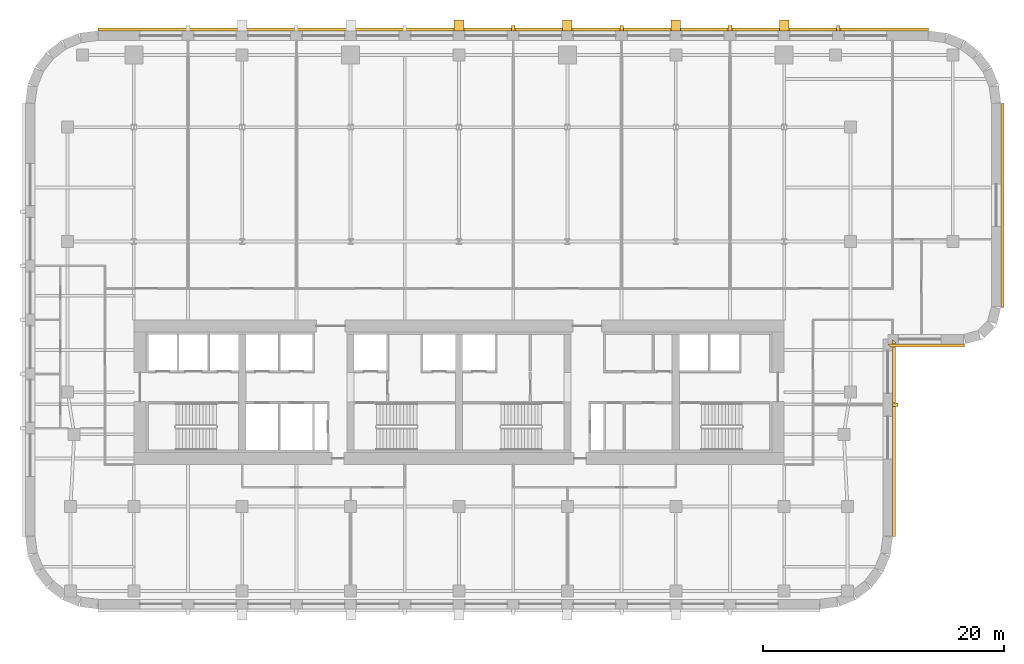
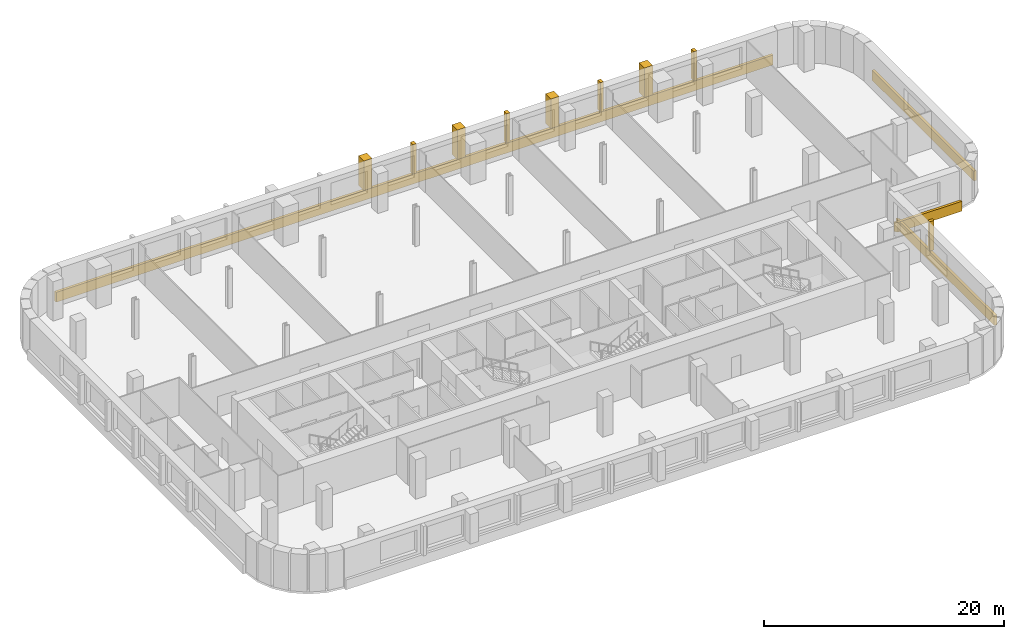
# One storey, part 9 of 9: 13 coverings.
"""IFC4 building model written with IfcOpenShell, lengths in metres."""

import ifcopenshell
import ifcopenshell.guid

model = None  # the IFC model being written
_history = None  # IfcOwnerHistory: only IFC2X3 demands one
_inside = {}  # id of a spatial element -> (the spatial element, [elements in it])
_under = {}  # id of a project, library or spatial element -> (it, [spatial elements below it])
_declared = {}  # id of a project -> (the project, [libraries it declares])
_typed = {}  # id of a type object -> (the type object, [elements of that type])
_made_of = {}  # id of a material, layer set ... -> (it, [elements and type objects made of it])


def new_model(schema):
    """Start an empty IFC model of exactly this schema.

    Asked for "IFC4X3", IfcOpenShell would pick the latest addendum, in which some entities
    have other attributes; the version numbers below select the first issue.
    IFC2X3 requires an IfcOwnerHistory on every rooted entity: one is made here for all.
    """
    global model, _history
    if schema == "IFC4X3":
        model = ifcopenshell.file(schema_version=(4, 3, 0, 0))
    else:
        model = ifcopenshell.file(schema=schema)
    _inside.clear()
    _under.clear()
    _declared.clear()
    _typed.clear()
    _made_of.clear()
    _history = None
    if model.schema == "IFC2X3":
        org = make("IfcOrganization", Name="unknown")
        user = make(
            "IfcPersonAndOrganization",
            ThePerson=make("IfcPerson", FamilyName="unknown"),
            TheOrganization=org,
        )
        app = make(
            "IfcApplication",
            ApplicationDeveloper=org,
            Version="unknown",
            ApplicationFullName="unknown",
            ApplicationIdentifier="unknown",
        )
        _history = make(
            "IfcOwnerHistory",
            OwningUser=user,
            OwningApplication=app,
            ChangeAction="ADDED",
            CreationDate=0,
        )
    return model


def make(cls, **values):
    """One entity of the class cls with the attributes given. An attribute that is None is left unset."""
    return model.create_entity(
        cls, **{name: value for name, value in values.items() if value is not None}
    )


def rooted(cls, **values):
    """An entity with a GlobalId (a new one), such as an element, a storey or a relation."""
    return make(cls, GlobalId=ifcopenshell.guid.new(), OwnerHistory=_history, **values)


def si_unit(unit_type, name, prefix=None):
    """IfcSIUnit, for example si_unit("LENGTHUNIT", "METRE", prefix="MILLI")."""
    return make("IfcSIUnit", UnitType=unit_type, Prefix=prefix, Name=name)


def assignment(units):
    """IfcUnitAssignment: the units of a project."""
    return None if units is None else make("IfcUnitAssignment", Units=units)


def point(xyz):
    """IfcCartesianPoint."""
    return None if xyz is None else make("IfcCartesianPoint", Coordinates=xyz)


def direction(xyz):
    """IfcDirection."""
    return None if xyz is None else make("IfcDirection", DirectionRatios=xyz)


def frame(location, z_axis=None, x_axis=None):
    """IfcAxis2Placement3D, a coordinate frame: its origin and axes. An axis left out is left unset."""
    return make(
        "IfcAxis2Placement3D",
        Location=point(location),
        Axis=direction(z_axis),
        RefDirection=direction(x_axis),
    )


def origin():
    """The frame at (0, 0, 0) with its axes left unset."""
    return frame((0.0, 0.0, 0.0))


def place(relative_to, where):
    """IfcLocalPlacement: puts the frame where relative to a parent placement (None: the world)."""
    return make(
        "IfcLocalPlacement", PlacementRelTo=relative_to, RelativePlacement=where
    )


def context(
    kind, dimensions, precision=None, world=None, true_north=None, identifier=None
):
    """IfcGeometricRepresentationContext, for example the 3D "Model" context."""
    return make(
        "IfcGeometricRepresentationContext",
        ContextIdentifier=identifier,
        ContextType=kind,
        CoordinateSpaceDimension=dimensions,
        Precision=precision,
        WorldCoordinateSystem=world,
        TrueNorth=true_north,
    )


def subcontext(parent, identifier, kind, view, scale=None):
    """IfcGeometricRepresentationSubContext, for example "Body" below "Model"."""
    return make(
        "IfcGeometricRepresentationSubContext",
        ContextIdentifier=identifier,
        ContextType=kind,
        ParentContext=parent,
        TargetScale=scale,
        TargetView=view,
    )


def project(units=None, contexts=None):
    """IfcProject with its units and contexts."""
    return rooted(
        "IfcProject",
        Name="project",
        RepresentationContexts=contexts,
        UnitsInContext=assignment(units),
    )


def spatial(cls, under=None, at=None, **own):
    """A site, building, storey or space (cls), placed at a placement, below another one or the project."""
    s = rooted(cls, ObjectPlacement=at, **own)
    if under is not None:
        _under.setdefault(under.id(), (under, []))[1].append(s)
    return s


def polyline(points):
    """IfcPolyline through the points."""
    return make("IfcPolyline", Points=[point(p) for p in points])


def outline(outer, holes=None, kind="AREA"):
    """IfcArbitraryClosedProfileDef: a profile drawn as a closed curve; with holes, ...WithVoids."""
    if holes is None:
        return make("IfcArbitraryClosedProfileDef", ProfileType=kind, OuterCurve=outer)
    return make(
        "IfcArbitraryProfileDefWithVoids",
        ProfileType=kind,
        OuterCurve=outer,
        InnerCurves=holes,
    )


def extrude(swept, where, along, depth):
    """IfcExtrudedAreaSolid: the profile swept, set in the frame where, extruded along a direction by depth."""
    return make(
        "IfcExtrudedAreaSolid",
        SweptArea=swept,
        Position=where,
        ExtrudedDirection=direction(along),
        Depth=depth,
    )


def shape(context_of_items, identifier, shape_type, items):
    """IfcShapeRepresentation: the items that make up one representation, for example the "Body"."""
    return make(
        "IfcShapeRepresentation",
        ContextOfItems=context_of_items,
        RepresentationIdentifier=identifier,
        RepresentationType=shape_type,
        Items=items,
    )


def material(Name=None, Category=None):
    """IfcMaterial."""
    return make("IfcMaterial", Name=Name, Category=Category)


def layer(
    of_material, thickness, ventilated=None, Name=None, Category=None, Priority=None
):
    """IfcMaterialLayer: one layer of a wall or slab, of a material (None: an air gap)."""
    return make(
        "IfcMaterialLayer",
        Material=of_material,
        LayerThickness=thickness,
        IsVentilated=ventilated,
        Name=Name,
        Category=Category,
        Priority=Priority,
    )


def layer_set(layers, Name=None):
    """IfcMaterialLayerSet."""
    return make("IfcMaterialLayerSet", MaterialLayers=layers, LayerSetName=Name)


def made_of(thing, what):
    """Note that an element or type object is made of a material, layer set ...; save() writes the relation."""
    if what is not None:
        _made_of.setdefault(what.id(), (what, []))[1].append(thing)
    return thing


def type_object(cls, material=None, **own):
    """A type object (cls), such as IfcWallType, which elements share."""
    return made_of(rooted(cls, **own), material)


def element(
    cls,
    number,
    at=None,
    inside=None,
    cuts=None,
    type_object=None,
    material=None,
    context=None,
    identifier="Body",
    shape_type=None,
    held_by="IfcProductDefinitionShape",
    body=None,
    shapes=None,
    **own,
):
    """One element of the class cls, such as IfcWall. Its Tag is "e" and its number.

    at: its placement. inside: the storey or other place that contains it. cuts: it is an
    opening in that element (IfcRelVoidsElement). A single representation is given by context,
    identifier, shape_type and body (its items); several are given by shapes. held_by: the class
    of the entity that holds the representations. save() writes the other relations.
    """
    e = rooted(cls, Tag="e%d" % number, ObjectPlacement=at, **own)
    if body is not None:
        shapes = [shape(context, identifier, shape_type, body)]
    if shapes is not None:
        e.Representation = make(held_by, Representations=shapes)
    if inside is not None:
        _inside.setdefault(inside.id(), (inside, []))[1].append(e)
    if cuts is not None:
        rooted(
            "IfcRelVoidsElement", RelatingBuildingElement=cuts, RelatedOpeningElement=e
        )
    if type_object is not None:
        _typed.setdefault(type_object.id(), (type_object, []))[1].append(e)
    return made_of(e, material)


def aggregate(whole, parts):
    """IfcRelAggregates: a whole, such as a stair, and the parts it consists of."""
    return rooted("IfcRelAggregates", RelatingObject=whole, RelatedObjects=parts)


def save(model, path):
    """Write the relations noted so far, then the file.

    IfcRelAggregates (storeys below a building ...), IfcRelContainedInSpatialStructure (elements
    in a storey), IfcRelDefinesByType, IfcRelAssociatesMaterial and IfcRelDeclares: one each for
    every whole, place, type object, material and project.
    """
    for whole, parts in _under.values():
        aggregate(whole, parts)
    for where, things in _inside.values():
        rooted(
            "IfcRelContainedInSpatialStructure",
            RelatedElements=things,
            RelatingStructure=where,
        )
    for kind, things in _typed.values():
        rooted("IfcRelDefinesByType", RelatedObjects=things, RelatingType=kind)
    for what, things in _made_of.values():
        rooted("IfcRelAssociatesMaterial", RelatedObjects=things, RelatingMaterial=what)
    for by, libraries in _declared.values():
        rooted("IfcRelDeclares", RelatingContext=by, RelatedDefinitions=libraries)
    model.write(path)


model = new_model("IFC4")

# Units and contexts
model_context = context("Model", 3, precision=1e-05, world=origin(), true_north=direction((0.0, 1.0)))
body_context = subcontext(model_context, "Body", "Model", "MODEL_VIEW")
ifc_project = project(units=[si_unit("LENGTHUNIT", "METRE"), si_unit("AREAUNIT", "SQUARE_METRE"), si_unit("VOLUMEUNIT", "CUBIC_METRE"), si_unit("PLANEANGLEUNIT", "RADIAN"), si_unit("MASSUNIT", "GRAM", prefix="KILO")], contexts=[model_context])

# Site, building, storey
site_placement = place(None, origin())
site = spatial("IfcSite", under=ifc_project, at=site_placement, CompositionType="ELEMENT")
building_placement = place(site_placement, origin())
building = spatial("IfcBuilding", under=site, at=building_placement, Name="Zellij Exchange Tower", CompositionType="ELEMENT")
storey_placement = place(building_placement, frame((0.0, 0.0, 140.5)))
storey = spatial("IfcBuildingStorey", under=building, at=storey_placement, Name="L31", CompositionType="ELEMENT", Elevation=140.5)

# Coverings
ifc_material = material(Name="Limestone cladding", Category="masonry")
covering_type_1 = type_object("IfcCoveringType", Name="ENV-CV5 Stone pier 800x900", PredefinedType="CLADDING", material=ifc_material)
covering_1_placement = place(storey_placement, frame((0.0, 0.0, 0.800048828125)))
element("IfcCovering", 1, at=covering_1_placement, inside=storey, type_object=covering_type_1, Name="Stone pier", PredefinedType="CLADDING", context=body_context, shape_type="SweptSolid", body=[
    extrude(outline(polyline([(27.39990234375, 22.0), (26.60009765625, 22.0), (26.60009765625, 22.89990234375), (27.39990234375, 22.89990234375), (27.39990234375, 22.0)])), origin(), (0.0, 0.0, 1.0), 3.0),
])
covering_2_placement = place(storey_placement, frame((0.0, 0.0, 0.800048828125)))
element("IfcCovering", 2, at=covering_2_placement, inside=storey, type_object=covering_type_1, Name="Stone pier", PredefinedType="CLADDING", context=body_context, shape_type="SweptSolid", body=[
    extrude(outline(polyline([(18.39990234375, 22.0), (17.60009765625, 22.0), (17.60009765625, 22.89990234375), (18.39990234375, 22.89990234375), (18.39990234375, 22.0)])), origin(), (0.0, 0.0, 1.0), 3.0),
])
covering_3_placement = place(storey_placement, frame((0.0, 0.0, 0.800048828125)))
element("IfcCovering", 3, at=covering_3_placement, inside=storey, type_object=covering_type_1, Name="Stone pier", PredefinedType="CLADDING", context=body_context, shape_type="SweptSolid", body=[
    extrude(outline(polyline([(9.39990234375, 22.0), (8.60009765625, 22.0), (8.60009765625, 22.89990234375), (9.39990234375, 22.89990234375), (9.39990234375, 22.0)])), origin(), (0.0, 0.0, 1.0), 3.0),
])
covering_4_placement = place(storey_placement, frame((0.0, 0.0, 0.800048828125)))
element("IfcCovering", 4, at=covering_4_placement, inside=storey, type_object=covering_type_1, Name="Stone pier", PredefinedType="CLADDING", context=body_context, shape_type="SweptSolid", body=[
    extrude(outline(polyline([(0.39990234375, 22.0), (-0.39990234375, 22.0), (-0.39990234375, 22.89990234375), (0.39990234375, 22.89990234375), (0.39990234375, 22.0)])), origin(), (0.0, 0.0, 1.0), 3.0),
])
covering_type_2 = type_object("IfcCoveringType", Name="ENV-CV7 Stone pier 300x450", PredefinedType="CLADDING", material=ifc_material)
covering_5_placement = place(storey_placement, frame((0.0, 0.0, 0.800048828125)))
element("IfcCovering", 5, at=covering_5_placement, inside=storey, type_object=covering_type_2, Name="Stone pier", PredefinedType="CLADDING", context=body_context, shape_type="SweptSolid", body=[
    extrude(outline(polyline([(36.0, -9.2080078125), (36.0, -8.907958984375), (36.449951171875, -8.907958984375), (36.449951171875, -9.2080078125), (36.0, -9.2080078125)])), origin(), (0.0, 0.0, 1.0), 3.0),
])
covering_6_placement = place(storey_placement, frame((0.0, 0.0, 0.800048828125)))
element("IfcCovering", 6, at=covering_6_placement, inside=storey, type_object=covering_type_2, Name="Stone pier", PredefinedType="CLADDING", context=body_context, shape_type="SweptSolid", body=[
    extrude(outline(polyline([(31.64990234375, 22.0), (31.35009765625, 22.0), (31.35009765625, 22.449951171875), (31.64990234375, 22.449951171875), (31.64990234375, 22.0)])), origin(), (0.0, 0.0, 1.0), 3.0),
])
covering_7_placement = place(storey_placement, frame((0.0, 0.0, 0.800048828125)))
element("IfcCovering", 7, at=covering_7_placement, inside=storey, type_object=covering_type_2, Name="Stone pier", PredefinedType="CLADDING", context=body_context, shape_type="SweptSolid", body=[
    extrude(outline(polyline([(22.64990234375, 22.0), (22.35009765625, 22.0), (22.35009765625, 22.449951171875), (22.64990234375, 22.449951171875), (22.64990234375, 22.0)])), origin(), (0.0, 0.0, 1.0), 3.0),
])
covering_8_placement = place(storey_placement, frame((0.0, 0.0, 0.800048828125)))
element("IfcCovering", 8, at=covering_8_placement, inside=storey, type_object=covering_type_2, Name="Stone pier", PredefinedType="CLADDING", context=body_context, shape_type="SweptSolid", body=[
    extrude(outline(polyline([(13.64990234375, 22.0), (13.35009765625, 22.0), (13.35009765625, 22.449951171875), (13.64990234375, 22.449951171875), (13.64990234375, 22.0)])), origin(), (0.0, 0.0, 1.0), 3.0),
])
covering_9_placement = place(storey_placement, frame((0.0, 0.0, 0.800048828125)))
element("IfcCovering", 9, at=covering_9_placement, inside=storey, type_object=covering_type_2, Name="Stone pier", PredefinedType="CLADDING", context=body_context, shape_type="SweptSolid", body=[
    extrude(outline(polyline([(4.64990234375, 22.0), (4.35009765625, 22.0), (4.35009765625, 22.449951171875), (4.64990234375, 22.449951171875), (4.64990234375, 22.0)])), origin(), (0.0, 0.0, 1.0), 3.0),
])
ifc_layer = layer(ifc_material, 0.25)
ifc_layer_set = layer_set([ifc_layer], Name="Limestone cladding")
covering_type_3 = type_object("IfcCoveringType", Name="ENV-CV8 Stone spandrel band 250", PredefinedType="CLADDING", material=ifc_layer_set)
covering_10_placement = place(storey_placement, frame((0.0, 0.0, -0.199951171875)))
element("IfcCovering", 10, at=covering_10_placement, inside=storey, type_object=covering_type_3, Name="Stone spandrel band", PredefinedType="CLADDING", context=body_context, shape_type="SweptSolid", body=[
    extrude(outline(polyline([(36.0, -19.973876953125), (36.0, -3.60009765625), (36.25, -3.85009765625), (36.25, -19.990234375), (36.0, -19.973876953125)])), origin(), (0.0, 0.0, 1.0), 1.0),
])
covering_11_placement = place(storey_placement, frame((0.0, 0.0, -0.199951171875)))
element("IfcCovering", 11, at=covering_11_placement, inside=storey, type_object=covering_type_3, Name="Stone spandrel band", PredefinedType="CLADDING", context=body_context, shape_type="SweptSolid", body=[
    extrude(outline(polyline([(35.60009765625, -4.0), (41.947265625, -4.0), (41.980224609375, -4.25), (35.85009765625, -4.25), (35.60009765625, -4.0)])), origin(), (0.0, 0.0, 1.0), 1.0),
])
covering_12_placement = place(storey_placement, frame((0.0, 0.0, -0.199951171875)))
element("IfcCovering", 12, at=covering_12_placement, inside=storey, type_object=covering_type_3, Name="Stone spandrel band", PredefinedType="CLADDING", context=body_context, shape_type="SweptSolid", body=[
    extrude(outline(polyline([(45.0, -0.947265625), (45.0, 15.973876953125), (45.25, 15.990234375), (45.25, -0.980224609375), (45.0, -0.947265625)])), origin(), (0.0, 0.0, 1.0), 1.0),
])
covering_13_placement = place(storey_placement, frame((0.0, 0.0, -0.199951171875)))
element("IfcCovering", 13, at=covering_13_placement, inside=storey, type_object=covering_type_3, Name="Stone spandrel band", PredefinedType="CLADDING", context=body_context, shape_type="SweptSolid", body=[
    extrude(outline(polyline([(38.973876953125, 22.0), (-29.973876953125, 22.0), (-29.990234375, 22.25), (38.990234375, 22.25), (38.973876953125, 22.0)])), origin(), (0.0, 0.0, 1.0), 1.0),
])

save(model, "model.ifc")
